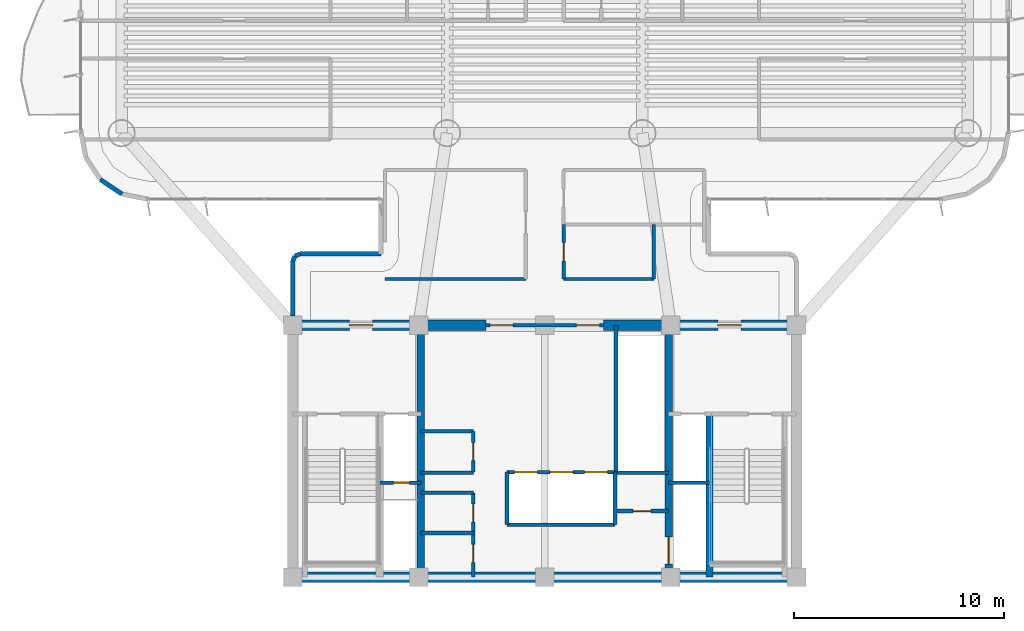
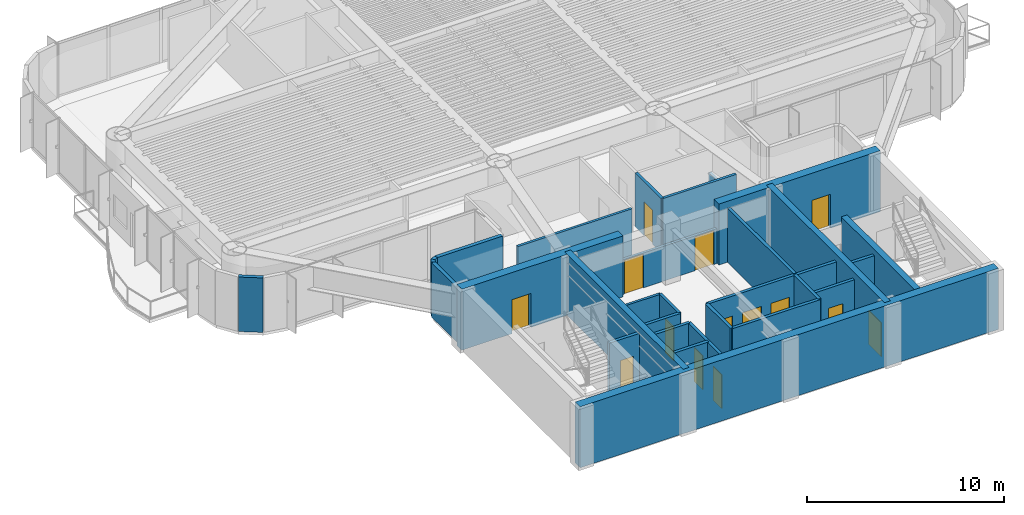
# One storey, part 8 of 15: 31 walls, 14 doors, 14 openings.
"""IFC4 building model written with IfcOpenShell, lengths in metres."""

from ifc_helpers import new_model, si_unit, direction, frame, frame_2d, origin, origin_2d, place, context, subcontext, project, spatial, rectangle, extrude, source, transform, mapped, material, layer, layer_set, type_object, element, fill, save


model = new_model("IFC4")

# Units and contexts
model_context = context("Model", 3, precision=1e-05, world=origin(), true_north=direction((0.0, 1.0)))
body_context = subcontext(model_context, "Body", "Model", "MODEL_VIEW")
ifc_project = project(units=[si_unit("LENGTHUNIT", "METRE"), si_unit("AREAUNIT", "SQUARE_METRE"), si_unit("VOLUMEUNIT", "CUBIC_METRE"), si_unit("PLANEANGLEUNIT", "RADIAN"), si_unit("MASSUNIT", "GRAM", prefix="KILO")], contexts=[model_context])

# Site, building, storey
site_placement = place(None, origin())
site = spatial("IfcSite", under=ifc_project, at=site_placement, CompositionType="ELEMENT")
building_placement = place(site_placement, origin())
building = spatial("IfcBuilding", under=site, at=building_placement, Name="Brelvock Crest Care Tower", CompositionType="ELEMENT")
storey_placement = place(building_placement, frame((0.0, 0.0, 142.739990234375)))
storey = spatial("IfcBuildingStorey", under=building, at=storey_placement, Name="L36", CompositionType="ELEMENT", Elevation=142.739990234375)

# Wall
ifc_material_1 = material(Name="Concrete S80 (80 MPa)", Category="concrete")
ifc_layer_1 = layer(ifc_material_1, 0.5, Name="WL-CS2")
ifc_layer_set_1 = layer_set([ifc_layer_1], Name="Concrete S80 (80 MPa)")
wall_type_1 = type_object("IfcWallType", Name="WL-CS2", PredefinedType="SHEAR", material=ifc_layer_set_1)
wall_1_placement = place(storey_placement, frame((48.25, 6.0, 0.0), z_axis=(0.0, 0.0, 1.0), x_axis=(-1.0, 0.0, 0.0)))
element("IfcWall", 1, at=wall_1_placement, inside=storey, type_object=wall_type_1, Name="L36 Core South Shear Wall", PredefinedType="SHEAR", context=body_context, shape_type="SweptSolid", body=[
    extrude(rectangle(XDim=24.5, YDim=0.5, at=frame_2d((12.25, 0.0))), origin(), (0.0, 0.0, 1.0), 3.780029296875),
])

# Wall, opening, door
wall_2_placement = place(storey_placement, frame((23.75, 18.0, 0.0), z_axis=(0.0, 0.0, 1.0), x_axis=(1.0, 0.0, 0.0)))
wall_2 = element("IfcWall", 2, at=wall_2_placement, inside=storey, type_object=wall_type_1, Name="L36 Core North-West Shear Wall", PredefinedType="SHEAR", context=body_context, shape_type="SweptSolid", body=[
    extrude(rectangle(XDim=9.449951171875, YDim=0.5, at=frame_2d((4.72509765625, 0.0))), origin(), (0.0, 0.0, 1.0), 3.780029296875),
])
opening_1_placement = place(wall_2_placement, frame((2.949951171875, 0.0, 0.0)))
opening_1 = element("IfcOpeningElement", 3, at=opening_1_placement, cuts=wall_2, Name="Opening FD-1", PredefinedType="OPENING", context=body_context, shape_type="SweptSolid", body=[
    extrude(rectangle(XDim=1.10009765625, YDim=2.10009765625, at=origin_2d()), frame((0.550048828125, 0.260009765625, 1.050048828125), z_axis=(0.0, -1.0, 0.0), x_axis=(1.0, 0.0, 0.0)), (0.0, 0.0, 1.0), 0.52001953125),
])
ifc_material_2 = material(Name="Steel Grade 350", Category="steel")
door_type_1 = type_object("IfcDoorType", Name="DR-FFL1", OperationType="NOTDEFINED", PredefinedType="DOOR", material=ifc_material_2)
shared_shape_1 = source(origin(), body_context, "Body", "SweptSolid", [
    extrude(rectangle(XDim=1.10009765625, YDim=2.10009765625, at=origin_2d()), frame((0.550048828125, 0.02490234375, 1.050048828125), z_axis=(0.0, -1.0, 0.0), x_axis=(1.0, 0.0, 0.0)), (0.0, 0.0, 1.0), 0.050048828125),
])
door_1_placement = place(opening_1_placement, origin())
door_1 = element("IfcDoor", 4, at=door_1_placement, inside=storey, type_object=door_type_1, Name="L36 Firefighting Lobby FFL-1 Exit Door", OperationType="SINGLE_SWING_LEFT", OverallHeight=2.10009765625, OverallWidth=1.10009765625, PredefinedType="DOOR", context=body_context, shape_type="MappedRepresentation", body=[
    mapped(shared_shape_1, transform((0.0, 0.0, 0.0), x_axis=(1.0, 0.0, 0.0), y_axis=(0.0, 1.0, 0.0), z_axis=(0.0, 0.0, 1.0), scale=1.0)),
])
fill(opening_1, door_1)

wall_3_placement = place(storey_placement, frame((38.800048828125, 18.0, 0.0), z_axis=(0.0, 0.0, 1.0), x_axis=(1.0, 0.0, 0.0)))
wall_3 = element("IfcWall", 5, at=wall_3_placement, inside=storey, type_object=wall_type_1, Name="L36 Core North-East Shear Wall", PredefinedType="SHEAR", context=body_context, shape_type="SweptSolid", body=[
    extrude(rectangle(XDim=9.449951171875, YDim=0.5, at=frame_2d((4.72509765625, 0.0))), origin(), (0.0, 0.0, 1.0), 3.780029296875),
])
opening_2_placement = place(wall_3_placement, frame((5.449951171875, 0.0, 0.0)))
opening_2 = element("IfcOpeningElement", 6, at=opening_2_placement, cuts=wall_3, Name="Opening FD-1", PredefinedType="OPENING", context=body_context, shape_type="SweptSolid", body=[
    extrude(rectangle(XDim=1.10009765625, YDim=2.10009765625, at=origin_2d()), frame((0.550048828125, 0.260009765625, 1.050048828125), z_axis=(0.0, -1.0, 0.0), x_axis=(1.0, 0.0, 0.0)), (0.0, 0.0, 1.0), 0.52001953125),
])
door_2_placement = place(opening_2_placement, origin())
door_2 = element("IfcDoor", 7, at=door_2_placement, inside=storey, type_object=door_type_1, Name="L36 Firefighting Lobby FFL-2 Exit Door", OperationType="SINGLE_SWING_RIGHT", OverallHeight=2.10009765625, OverallWidth=1.10009765625, PredefinedType="DOOR", context=body_context, shape_type="MappedRepresentation", body=[
    mapped(shared_shape_1, transform((0.0, 0.0, 0.0), x_axis=(1.0, 0.0, 0.0), y_axis=(0.0, 1.0, 0.0), z_axis=(0.0, 0.0, 1.0), scale=1.0)),
])
fill(opening_2, door_2)

# Wall
ifc_layer_2 = layer(ifc_material_1, 0.35009765625, Name="WL-CS5")
ifc_layer_set_2 = layer_set([ifc_layer_2], Name="Concrete S80 (80 MPa)")
wall_type_2 = type_object("IfcWallType", Name="WL-CS5", PredefinedType="SHEAR", material=ifc_layer_set_2)
wall_4_placement = place(storey_placement, frame((30.10009765625, 6.0, 0.0), z_axis=(0.0, 0.0, 1.0), x_axis=(0.0, 1.0, 0.0)))
element("IfcWall", 8, at=wall_4_placement, inside=storey, type_object=wall_type_2, Name="L36 Core Internal Web Wall West", PredefinedType="SHEAR", context=body_context, shape_type="SweptSolid", body=[
    extrude(rectangle(XDim=12.0, YDim=0.35009765625, at=frame_2d((6.0, 0.0))), origin(), (0.0, 0.0, 1.0), 3.780029296875),
])

# Wall, opening, door
wall_5_placement = place(storey_placement, frame((41.89990234375, 18.0, 0.0), z_axis=(0.0, 0.0, 1.0), x_axis=(0.0, -1.0, 0.0)))
wall_5 = element("IfcWall", 9, at=wall_5_placement, inside=storey, type_object=wall_type_2, Name="L36 Core Internal Web Wall East", PredefinedType="SHEAR", context=body_context, shape_type="SweptSolid", body=[
    extrude(rectangle(XDim=12.0, YDim=0.35009765625, at=frame_2d((6.0, 0.0))), origin(), (0.0, 0.0, 1.0), 3.780029296875),
])
opening_3_placement = place(wall_5_placement, frame((10.080078125, 0.0, 0.0)))
opening_3 = element("IfcOpeningElement", 10, at=opening_3_placement, cuts=wall_5, Name="Opening LD-S", PredefinedType="OPENING", context=body_context, shape_type="SweptSolid", body=[
    extrude(rectangle(XDim=1.300048828125, YDim=2.10009765625, at=origin_2d()), frame((0.64990234375, 0.18505859375, 1.050048828125), z_axis=(0.0, -1.0, 0.0), x_axis=(1.0, 0.0, 0.0)), (0.0, 0.0, 1.0), 0.3701171875),
])
door_type_2 = type_object("IfcDoorType", Name="DR-LDS1", OperationType="NOTDEFINED", PredefinedType="DOOR", material=ifc_material_2)
shared_shape_2 = source(origin(), body_context, "Body", "SweptSolid", [
    extrude(rectangle(XDim=1.300048828125, YDim=2.10009765625, at=origin_2d()), frame((0.64990234375, 0.02490234375, 1.050048828125), z_axis=(0.0, -1.0, 0.0), x_axis=(1.0, 0.0, 0.0)), (0.0, 0.0, 1.0), 0.050048828125),
])
door_3_placement = place(opening_3_placement, origin())
door_3 = element("IfcDoor", 11, at=door_3_placement, inside=storey, type_object=door_type_2, Name="L36 Clinical Bed Lift SL-1 Landing Door", OperationType="SLIDING_TO_LEFT", OverallHeight=2.10009765625, OverallWidth=1.300048828125, PredefinedType="DOOR", context=body_context, shape_type="MappedRepresentation", body=[
    mapped(shared_shape_2, transform((0.0, 0.0, 0.0), x_axis=(1.0, 0.0, 0.0), y_axis=(0.0, 1.0, 0.0), z_axis=(0.0, 0.0, 1.0), scale=1.0)),
])
fill(opening_3, door_3)

# Walls
wall_6_placement = place(storey_placement, frame((43.85009765625, 6.0, 0.0), z_axis=(0.0, 0.0, 1.0), x_axis=(0.0, 1.0, 0.0)))
element("IfcWall", 12, at=wall_6_placement, inside=storey, type_object=wall_type_2, Name="L36 Core Stair ST-2 West Shear Wall", PredefinedType="SHEAR", context=body_context, shape_type="SweptSolid", body=[
    extrude(rectangle(XDim=7.780029296875, YDim=0.35009765625, at=frame_2d((3.89013671875, 0.0))), origin(), (0.0, 0.0, 1.0), 3.69189453125),
])
ifc_material_3 = material(Name="Precast concrete N40 (40 MPa)", Category="concrete")
ifc_layer_3 = layer(ifc_material_3, 0.215087890625, Name="WL-EX2")
ifc_layer_set_3 = layer_set([ifc_layer_3], Name="Precast concrete N40 (40 MPa)")
wall_type_3 = type_object("IfcWallType", Name="WL-EX2", PredefinedType="SOLIDWALL", material=ifc_layer_set_3)
wall_7_placement = place(storey_placement, frame((24.0, 18.429931640625, 0.0), z_axis=(0.0, 0.0, 1.0), x_axis=(0.0, 1.0, 0.0)))
element("IfcWall", 13, at=wall_7_placement, inside=storey, type_object=wall_type_3, Name="L36 Rounded Corner Wall 07", PredefinedType="SOLIDWALL", context=body_context, shape_type="SweptSolid", body=[
    extrude(rectangle(XDim=2.6201171875, YDim=0.215087890625, at=frame_2d((1.31005859375, 0.0))), origin(), (0.0, 0.0, 1.0), 3.3720703125),
])
wall_8_placement = place(storey_placement, frame((24.0, 21.050048828125, 0.0), z_axis=(0.0, 0.0, 1.0), x_axis=(0.382673670509, 0.923883575944, 0.0)))
element("IfcWall", 14, at=wall_8_placement, inside=storey, type_object=wall_type_3, Name="L36 Rounded Corner Wall 08", PredefinedType="SOLIDWALL", context=body_context, shape_type="SweptSolid", body=[
    extrude(rectangle(XDim=0.26806640625, YDim=0.215087890625, at=frame_2d((0.134033203125, 0.0))), origin(), (0.0, 0.0, 1.0), 3.3720703125),
])
wall_9_placement = place(storey_placement, frame((24.1025390625, 21.297607421875, 0.0), z_axis=(0.0, 0.0, 1.0), x_axis=(0.924205486139, 0.381895560841, 0.0)))
element("IfcWall", 15, at=wall_9_placement, inside=storey, type_object=wall_type_3, Name="L36 Rounded Corner Wall 09", PredefinedType="SOLIDWALL", context=body_context, shape_type="SweptSolid", body=[
    extrude(rectangle(XDim=0.267822265625, YDim=0.215087890625, at=frame_2d((0.1337890625, 0.0))), origin(), (0.0, 0.0, 1.0), 3.3720703125),
])
wall_10_placement = place(storey_placement, frame((24.35009765625, 21.39990234375, 0.0), z_axis=(0.0, 0.0, 1.0), x_axis=(1.0, 0.0, 0.0)))
element("IfcWall", 16, at=wall_10_placement, inside=storey, type_object=wall_type_3, Name="L36 Rounded Corner Wall 10", PredefinedType="SOLIDWALL", context=body_context, shape_type="SweptSolid", body=[
    extrude(rectangle(XDim=3.849853515625, YDim=0.215087890625, at=frame_2d((1.9248046875, 0.0))), origin(), (0.0, 0.0, 1.0), 3.3720703125),
])
wall_11_placement = place(storey_placement, frame((15.87548828125, 24.24365234375, 0.0), z_axis=(0.0, 0.0, 1.0), x_axis=(-0.831478245117, 0.555557312883, 0.0)))
element("IfcWall", 17, at=wall_11_placement, inside=storey, type_object=wall_type_3, Name="L36 Rounded Corner Wall 14", PredefinedType="SOLIDWALL", context=body_context, shape_type="SweptSolid", body=[
    extrude(rectangle(XDim=1.24853515625, YDim=0.215087890625, at=frame_2d((0.624267578125, 0.0))), origin(), (0.0, 0.0, 1.0), 3.3720703125),
])
ifc_material_4 = material(Name="Masonry Blockwork Acoustic Partition", Category="masonry")
ifc_layer_4 = layer(ifc_material_4, 0.14990234375, Name="WL-INT1")
ifc_layer_set_4 = layer_set([ifc_layer_4], Name="Masonry Blockwork Acoustic Partition")
wall_type_4 = type_object("IfcWallType", Name="WL-INT1", PredefinedType="PARTITIONING", material=ifc_layer_set_4)
wall_12_placement = place(storey_placement, frame((30.10009765625, 12.949951171875, 0.0), z_axis=(0.0, 0.0, 1.0), x_axis=(1.0, 0.0, 0.0)))
element("IfcWall", 18, at=wall_12_placement, inside=storey, type_object=wall_type_4, Name="L36 Interior Wall WL-CRCL-N2-L36", PredefinedType="PARTITIONING", context=body_context, shape_type="SweptSolid", body=[
    extrude(rectangle(XDim=2.5, YDim=0.14990234375, at=frame_2d((1.25, 0.0))), origin(), (0.0, 0.0, 1.0), 3.342041015625),
])

# Wall, opening, door
wall_13_placement = place(storey_placement, frame((32.60009765625, 11.0, 0.0), z_axis=(0.0, 0.0, 1.0), x_axis=(0.0, 1.0, 0.0)))
wall_13 = element("IfcWall", 19, at=wall_13_placement, inside=storey, type_object=wall_type_4, Name="L36 Interior Wall WL-CRCL-E-L36", PredefinedType="PARTITIONING", context=body_context, shape_type="SweptSolid", body=[
    extrude(rectangle(XDim=1.949951171875, YDim=0.14990234375, at=frame_2d((0.97509765625, 0.0))), origin(), (0.0, 0.0, 1.0), 3.342041015625),
])
opening_4_placement = place(wall_13_placement, frame((0.550048828125, 0.0, 0.0)))
opening_4 = element("IfcOpeningElement", 20, at=opening_4_placement, cuts=wall_13, Name="Opening ID-1", PredefinedType="OPENING", context=body_context, shape_type="SweptSolid", body=[
    extrude(rectangle(XDim=0.860107421875, YDim=2.10009765625, at=origin_2d()), frame((0.43017578125, 0.0849609375, 1.050048828125), z_axis=(0.0, -1.0, 0.0), x_axis=(1.0, 0.0, 0.0)), (0.0, 0.0, 1.0), 0.169921875),
])
ifc_material_5 = material(Name="Engineered Hardwood Timber", Category="wood")
door_type_3 = type_object("IfcDoorType", Name="DR-INT1", OperationType="NOTDEFINED", PredefinedType="DOOR", material=ifc_material_5)
shared_shape_3 = source(origin(), body_context, "Body", "SweptSolid", [
    extrude(rectangle(XDim=0.860107421875, YDim=2.10009765625, at=origin_2d()), frame((0.43017578125, 0.02490234375, 1.050048828125), z_axis=(0.0, -1.0, 0.0), x_axis=(1.0, 0.0, 0.0)), (0.0, 0.0, 1.0), 0.050048828125),
])
door_4_placement = place(opening_4_placement, origin())
door_4 = element("IfcDoor", 21, at=door_4_placement, inside=storey, type_object=door_type_3, Name="DR-CRCL1-L36", OperationType="SINGLE_SWING_LEFT", OverallHeight=2.10009765625, OverallWidth=0.860107421875, PredefinedType="DOOR", context=body_context, shape_type="MappedRepresentation", body=[
    mapped(shared_shape_3, transform((0.0, 0.0, 0.0), x_axis=(1.0, 0.0, 0.0), y_axis=(0.0, 1.0, 0.0), z_axis=(0.0, 0.0, 1.0), scale=1.0)),
])
fill(opening_4, door_4)

# Wall, openings, doors
wall_14_placement = place(storey_placement, frame((33.199951171875, 18.0, 0.0), z_axis=(0.0, 0.0, 1.0), x_axis=(1.0, 0.0, 0.0)))
wall_14 = element("IfcWall", 22, at=wall_14_placement, inside=storey, type_object=wall_type_4, Name="L36 Interior Wall WL-CORE-NPORT-L36", PredefinedType="PARTITIONING", context=body_context, shape_type="SweptSolid", body=[
    extrude(rectangle(XDim=5.60009765625, YDim=0.14990234375, at=frame_2d((2.800048828125, 0.0))), origin(), (0.0, 0.0, 1.0), 2.156982421875),
])
opening_5_placement = place(wall_14_placement, frame((0.18994140625, 0.0, 0.0)))
opening_5 = element("IfcOpeningElement", 23, at=opening_5_placement, cuts=wall_14, Name="Opening FD-1", PredefinedType="OPENING", context=body_context, shape_type="SweptSolid", body=[
    extrude(rectangle(XDim=1.10009765625, YDim=2.096923828125, at=origin_2d()), frame((0.550048828125, 0.0849609375, 1.04833984375), z_axis=(0.0, -1.0, 0.0), x_axis=(1.0, 0.0, 0.0)), (0.0, 0.0, 1.0), 0.169921875),
])
opening_6_placement = place(wall_14_placement, frame((4.31005859375, 0.0, 0.0)))
opening_6 = element("IfcOpeningElement", 24, at=opening_6_placement, cuts=wall_14, Name="Opening FD-1", PredefinedType="OPENING", context=body_context, shape_type="SweptSolid", body=[
    extrude(rectangle(XDim=1.10009765625, YDim=2.096923828125, at=origin_2d()), frame((0.550048828125, 0.0849609375, 1.04833984375), z_axis=(0.0, -1.0, 0.0), x_axis=(1.0, 0.0, 0.0)), (0.0, 0.0, 1.0), 0.169921875),
])
shared_shape_4 = source(origin(), body_context, "Body", "SweptSolid", [
    extrude(rectangle(XDim=1.10009765625, YDim=2.096923828125, at=origin_2d()), frame((0.550048828125, 0.02490234375, 1.04833984375), z_axis=(0.0, -1.0, 0.0), x_axis=(1.0, 0.0, 0.0)), (0.0, 0.0, 1.0), 0.050048828125),
])
door_5_placement = place(opening_5_placement, origin())
door_5 = element("IfcDoor", 25, at=door_5_placement, inside=storey, type_object=door_type_1, Name="L36 Lift Lobby North Smoke Door West", OperationType="SINGLE_SWING_LEFT", OverallHeight=2.096923828125, OverallWidth=1.10009765625, PredefinedType="DOOR", context=body_context, shape_type="MappedRepresentation", body=[
    mapped(shared_shape_4, transform((0.0, 0.0, 0.0), x_axis=(1.0, 0.0, 0.0), y_axis=(0.0, 1.0, 0.0), z_axis=(0.0, 0.0, 1.0), scale=1.0)),
])
fill(opening_5, door_5)
door_6_placement = place(opening_6_placement, origin())
door_6 = element("IfcDoor", 26, at=door_6_placement, inside=storey, type_object=door_type_1, Name="L36 Lift Lobby North Smoke Door East", OperationType="SINGLE_SWING_RIGHT", OverallHeight=2.096923828125, OverallWidth=1.10009765625, PredefinedType="DOOR", context=body_context, shape_type="MappedRepresentation", body=[
    mapped(shared_shape_4, transform((0.0, 0.0, 0.0), x_axis=(1.0, 0.0, 0.0), y_axis=(0.0, 1.0, 0.0), z_axis=(0.0, 0.0, 1.0), scale=1.0)),
])
fill(opening_6, door_6)

# Walls
wall_15_placement = place(storey_placement, frame((28.39990234375, 20.199951171875, 0.0), z_axis=(0.0, 0.0, 1.0), x_axis=(1.0, 0.0, 0.0)))
element("IfcWall", 27, at=wall_15_placement, inside=storey, type_object=wall_type_4, Name="L36 Interior Wall WL-BX-L36-THW-S", PredefinedType="PARTITIONING", context=body_context, shape_type="SweptSolid", body=[
    extrude(rectangle(XDim=6.7001953125, YDim=0.14990234375, at=frame_2d((3.35009765625, 0.0))), origin(), (0.0, 0.0, 1.0), 3.342041015625),
])
ifc_material_6 = material(Name="Gypsum Plasterboard Partition", Category="gypsum")
ifc_layer_5 = layer(ifc_material_6, 0.159912109375, Name="WL-PLM1")
ifc_layer_set_5 = layer_set([ifc_layer_5], Name="Gypsum Plasterboard Partition")
wall_type_5 = type_object("IfcWallType", Name="WL-PLM1", PredefinedType="PLUMBINGWALL", material=ifc_layer_set_5)
wall_16_placement = place(storey_placement, frame((36.89990234375, 20.199951171875, 0.0), z_axis=(0.0, 0.0, 1.0), x_axis=(1.0, 0.0, 0.0)))
element("IfcWall", 28, at=wall_16_placement, inside=storey, type_object=wall_type_5, Name="L36 Interior Wall WL-BX-L36-THE1-S", PredefinedType="PLUMBINGWALL", context=body_context, shape_type="SweptSolid", body=[
    extrude(rectangle(XDim=4.300048828125, YDim=0.159912109375, at=frame_2d((2.14990234375, 0.0))), origin(), (0.0, 0.0, 1.0), 3.342041015625),
])

# Wall, opening, door
wall_17_placement = place(storey_placement, frame((36.89990234375, 20.199951171875, 0.0), z_axis=(0.0, 0.0, 1.0), x_axis=(0.0, 1.0, 0.0)))
wall_17 = element("IfcWall", 29, at=wall_17_placement, inside=storey, type_object=wall_type_5, Name="L36 Interior Wall WL-RM-L36-THE1", PredefinedType="PLUMBINGWALL", context=body_context, shape_type="SweptSolid", body=[
    extrude(rectangle(XDim=2.60009765625, YDim=0.159912109375, at=frame_2d((1.300048828125, 0.0))), origin(), (0.0, 0.0, 1.0), 3.342041015625),
])
opening_7_placement = place(wall_17_placement, frame((0.8701171875, 0.0, 0.0)))
opening_7 = element("IfcOpeningElement", 30, at=opening_7_placement, cuts=wall_17, Name="Opening WD-1", PredefinedType="OPENING", context=body_context, shape_type="SweptSolid", body=[
    extrude(rectangle(XDim=0.860107421875, YDim=2.10009765625, at=origin_2d()), frame((0.43017578125, 0.08984375, 1.050048828125), z_axis=(0.0, -1.0, 0.0), x_axis=(1.0, 0.0, 0.0)), (0.0, 0.0, 1.0), 0.179931640625),
])
door_type_4 = type_object("IfcDoorType", Name="DR-WC1", OperationType="NOTDEFINED", PredefinedType="DOOR", material=ifc_material_5)
shared_shape_5 = source(origin(), body_context, "Body", "SweptSolid", [
    extrude(rectangle(XDim=0.860107421875, YDim=2.10009765625, at=origin_2d()), frame((0.43017578125, 0.02490234375, 1.050048828125), z_axis=(0.0, -1.0, 0.0), x_axis=(1.0, 0.0, 0.0)), (0.0, 0.0, 1.0), 0.050048828125),
])
door_7_placement = place(opening_7_placement, origin())
door_7 = element("IfcDoor", 31, at=door_7_placement, inside=storey, type_object=door_type_4, Name="L36 Floor Accessible WC Door THE1", OperationType="SINGLE_SWING_LEFT", OverallHeight=2.10009765625, OverallWidth=0.860107421875, PredefinedType="DOOR", context=body_context, shape_type="MappedRepresentation", body=[
    mapped(shared_shape_5, transform((0.0, 0.0, 0.0), x_axis=(1.0, 0.0, 0.0), y_axis=(0.0, 1.0, 0.0), z_axis=(0.0, 0.0, 1.0), scale=1.0)),
])
fill(opening_7, door_7)

# Walls
wall_18_placement = place(storey_placement, frame((41.199951171875, 20.199951171875, 0.0), z_axis=(0.0, 0.0, 1.0), x_axis=(0.0, 1.0, 0.0)))
element("IfcWall", 32, at=wall_18_placement, inside=storey, type_object=wall_type_5, Name="L36 Interior Wall WL-BX-L36-THE1-E", PredefinedType="PLUMBINGWALL", context=body_context, shape_type="SweptSolid", body=[
    extrude(rectangle(XDim=2.60009765625, YDim=0.159912109375, at=frame_2d((1.300048828125, 0.0))), origin(), (0.0, 0.0, 1.0), 1.85693359375),
])
ifc_layer_6 = layer(ifc_material_4, 0.179931640625, Name="WL-SHF1")
ifc_layer_set_6 = layer_set([ifc_layer_6], Name="Masonry Blockwork Acoustic Partition")
wall_type_6 = type_object("IfcWallType", Name="WL-SHF1", PredefinedType="PARTITIONING", material=ifc_layer_set_6)
wall_19_placement = place(storey_placement, frame((34.199951171875, 8.5, 0.0), z_axis=(0.0, 0.0, 1.0), x_axis=(1.0, 0.0, 0.0)))
element("IfcWall", 33, at=wall_19_placement, inside=storey, type_object=wall_type_6, Name="L36 Interior Wall WL-PLM-S-L36", PredefinedType="PARTITIONING", context=body_context, shape_type="SweptSolid", body=[
    extrude(rectangle(XDim=5.150146484375, YDim=0.179931640625, at=frame_2d((2.5751953125, 0.0))), origin(), (0.0, 0.0, 1.0), 3.342041015625),
])
for number, where, z_axis, x_axis, name in (
    (34, (34.199951171875, 8.5, 0.0), (0.0, 0.0, 1.0), (0.0, 1.0, 0.0), "L36 Interior Wall WL-PLM-W-L36"),
    (35, (39.35009765625, 8.5, 0.0), (0.0, 0.0, 1.0), (0.0, 1.0, 0.0), "L36 Interior Wall WL-PLM-E-L36"),
):
    element("IfcWall", number, at=place(storey_placement, frame(where, z_axis=z_axis, x_axis=x_axis)), inside=storey, type_object=wall_type_6, Name=name, PredefinedType="PARTITIONING", context=body_context, shape_type="SweptSolid", body=[
        extrude(rectangle(XDim=2.5, YDim=0.179931640625, at=frame_2d((1.25, 0.0))), origin(), (0.0, 0.0, 1.0), 3.342041015625),
    ])
wall_20_placement = place(storey_placement, frame((39.39990234375, 11.0, 0.0), z_axis=(0.0, 0.0, 1.0), x_axis=(0.0, 1.0, 0.0)))
element("IfcWall", 36, at=wall_20_placement, inside=storey, type_object=wall_type_6, Name="L36 Interior Wall WL-PLH-SHF-L36", PredefinedType="PARTITIONING", context=body_context, shape_type="SweptSolid", body=[
    extrude(rectangle(XDim=7.0, YDim=0.179931640625, at=frame_2d((3.5, 0.0))), origin(), (0.0, 0.0, 1.0), 3.342041015625),
])
wall_21_placement = place(storey_placement, frame((30.10009765625, 10.97998046875, 0.0), z_axis=(0.0, 0.0, 1.0), x_axis=(1.0, 0.0, 0.0)))
element("IfcWall", 37, at=wall_21_placement, inside=storey, type_object=wall_type_6, Name="L36 Interior Wall WL-CSBW-N-L36", PredefinedType="PARTITIONING", context=body_context, shape_type="SweptSolid", body=[
    extrude(rectangle(XDim=2.5, YDim=0.179931640625, at=frame_2d((1.25, 0.0))), origin(), (0.0, 0.0, 1.0), 3.342041015625),
])
wall_22_placement = place(storey_placement, frame((39.35009765625, 10.97998046875, 0.0), z_axis=(0.0, 0.0, 1.0), x_axis=(1.0, 0.0, 0.0)))
element("IfcWall", 38, at=wall_22_placement, inside=storey, type_object=wall_type_6, Name="L36 Interior Wall WL-CSBE-N-L36", PredefinedType="PARTITIONING", context=body_context, shape_type="SweptSolid", body=[
    extrude(rectangle(XDim=2.5498046875, YDim=0.179931640625, at=frame_2d((1.27490234375, 0.0))), origin(), (0.0, 0.0, 1.0), 3.342041015625),
])
for number, where, z_axis, x_axis, name in (
    (39, (30.10009765625, 8.10009765625, 0.0), (0.0, 0.0, 1.0), (1.0, 0.0, 0.0), "L36 Interior Wall WL-CSBW-SP-L36"),
    (40, (30.10009765625, 10.02001953125, 0.0), (0.0, 0.0, 1.0), (1.0, 0.0, 0.0), "L36 Interior Wall WL-CSBW-N2-L36"),
):
    element("IfcWall", number, at=place(storey_placement, frame(where, z_axis=z_axis, x_axis=x_axis)), inside=storey, type_object=wall_type_6, Name=name, PredefinedType="PARTITIONING", context=body_context, shape_type="SweptSolid", body=[
        extrude(rectangle(XDim=2.5, YDim=0.179931640625, at=frame_2d((1.25, 0.0))), origin(), (0.0, 0.0, 1.0), 3.342041015625),
    ])

# Wall, openings, doors
wall_23_placement = place(storey_placement, frame((32.60009765625, 6.0, 0.0), z_axis=(0.0, 0.0, 1.0), x_axis=(0.0, 1.0, 0.0)))
wall_23 = element("IfcWall", 41, at=wall_23_placement, inside=storey, type_object=wall_type_6, Name="L36 Interior Wall WL-CSBW-E-L36", PredefinedType="PARTITIONING", context=body_context, shape_type="SweptSolid", body=[
    extrude(rectangle(XDim=4.02001953125, YDim=0.179931640625, at=frame_2d((2.010009765625, 0.0))), origin(), (0.0, 0.0, 1.0), 3.342041015625),
])
opening_8_placement = place(wall_23_placement, frame((0.699951171875, 0.0, 0.0)))
opening_8 = element("IfcOpeningElement", 42, at=opening_8_placement, cuts=wall_23, Name="Opening ID-1", PredefinedType="OPENING", context=body_context, shape_type="SweptSolid", body=[
    extrude(rectangle(XDim=0.860107421875, YDim=2.10009765625, at=origin_2d()), frame((0.43017578125, 0.10009765625, 1.050048828125), z_axis=(0.0, -1.0, 0.0), x_axis=(1.0, 0.0, 0.0)), (0.0, 0.0, 1.0), 0.199951171875),
])
opening_9_placement = place(wall_23_placement, frame((2.6201171875, 0.0, 0.0)))
opening_9 = element("IfcOpeningElement", 43, at=opening_9_placement, cuts=wall_23, Name="Opening ID-1", PredefinedType="OPENING", context=body_context, shape_type="SweptSolid", body=[
    extrude(rectangle(XDim=0.860107421875, YDim=2.10009765625, at=origin_2d()), frame((0.43017578125, 0.10009765625, 1.050048828125), z_axis=(0.0, -1.0, 0.0), x_axis=(1.0, 0.0, 0.0)), (0.0, 0.0, 1.0), 0.199951171875),
])
door_8_placement = place(opening_8_placement, origin())
door_8 = element("IfcDoor", 44, at=door_8_placement, inside=storey, type_object=door_type_3, Name="DR-CSBW1-L36", OperationType="SINGLE_SWING_LEFT", OverallHeight=2.10009765625, OverallWidth=0.860107421875, PredefinedType="DOOR", context=body_context, shape_type="MappedRepresentation", body=[
    mapped(shared_shape_3, transform((0.0, 0.0, 0.0), x_axis=(1.0, 0.0, 0.0), y_axis=(0.0, 1.0, 0.0), z_axis=(0.0, 0.0, 1.0), scale=1.0)),
])
fill(opening_8, door_8)
door_9_placement = place(opening_9_placement, origin())
door_9 = element("IfcDoor", 45, at=door_9_placement, inside=storey, type_object=door_type_3, Name="DR-CSBW2-L36", OperationType="SINGLE_SWING_RIGHT", OverallHeight=2.10009765625, OverallWidth=0.860107421875, PredefinedType="DOOR", context=body_context, shape_type="MappedRepresentation", body=[
    mapped(shared_shape_3, transform((0.0, 0.0, 0.0), x_axis=(1.0, 0.0, 0.0), y_axis=(0.0, 1.0, 0.0), z_axis=(0.0, 0.0, 1.0), scale=1.0)),
])
fill(opening_9, door_9)

# Wall, opening, door
wall_24_placement = place(storey_placement, frame((39.35009765625, 9.14990234375, 0.0), z_axis=(0.0, 0.0, 1.0), x_axis=(1.0, 0.0, 0.0)))
wall_24 = element("IfcWall", 46, at=wall_24_placement, inside=storey, type_object=wall_type_6, Name="L36 Interior Wall WL-CSBE-S-L36", PredefinedType="PARTITIONING", context=body_context, shape_type="SweptSolid", body=[
    extrude(rectangle(XDim=2.5498046875, YDim=0.179931640625, at=frame_2d((1.27490234375, 0.0))), origin(), (0.0, 0.0, 1.0), 3.342041015625),
])
opening_10_placement = place(wall_24_placement, frame((0.85009765625, 0.0, 0.0)))
opening_10 = element("IfcOpeningElement", 47, at=opening_10_placement, cuts=wall_24, Name="Opening ID-1", PredefinedType="OPENING", context=body_context, shape_type="SweptSolid", body=[
    extrude(rectangle(XDim=0.860107421875, YDim=2.10009765625, at=origin_2d()), frame((0.43017578125, 0.10009765625, 1.050048828125), z_axis=(0.0, -1.0, 0.0), x_axis=(1.0, 0.0, 0.0)), (0.0, 0.0, 1.0), 0.199951171875),
])
door_10_placement = place(opening_10_placement, origin())
door_10 = element("IfcDoor", 48, at=door_10_placement, inside=storey, type_object=door_type_3, Name="DR-CSBE-L36", OperationType="SINGLE_SWING_LEFT", OverallHeight=2.10009765625, OverallWidth=0.860107421875, PredefinedType="DOOR", context=body_context, shape_type="MappedRepresentation", body=[
    mapped(shared_shape_3, transform((0.0, 0.0, 0.0), x_axis=(1.0, 0.0, 0.0), y_axis=(0.0, 1.0, 0.0), z_axis=(0.0, 0.0, 1.0), scale=1.0)),
])
fill(opening_10, door_10)

wall_25_placement = place(storey_placement, frame((28.14990234375, 10.5, 0.0), z_axis=(0.0, 0.0, 1.0), x_axis=(1.0, 0.0, 0.0)))
wall_25 = element("IfcWall", 49, at=wall_25_placement, inside=storey, type_object=wall_type_6, Name="L36 Interior Wall WL-FFH1-S-L36", PredefinedType="PARTITIONING", context=body_context, shape_type="SweptSolid", body=[
    extrude(rectangle(XDim=1.9501953125, YDim=0.179931640625, at=frame_2d((0.97509765625, 0.0))), origin(), (0.0, 0.0, 1.0), 3.342041015625),
])
opening_11_placement = place(wall_25_placement, frame((0.64990234375, 0.0, 0.0)))
opening_11 = element("IfcOpeningElement", 50, at=opening_11_placement, cuts=wall_25, Name="Opening RD-1", PredefinedType="OPENING", context=body_context, shape_type="SweptSolid", body=[
    extrude(rectangle(XDim=0.760009765625, YDim=2.050048828125, at=origin_2d()), frame((0.3798828125, 0.10009765625, 1.02490234375), z_axis=(0.0, -1.0, 0.0), x_axis=(1.0, 0.0, 0.0)), (0.0, 0.0, 1.0), 0.199951171875),
])
door_type_5 = type_object("IfcDoorType", Name="DR-RIS1", OperationType="NOTDEFINED", PredefinedType="DOOR", material=ifc_material_2)
shared_shape_6 = source(origin(), body_context, "Body", "SweptSolid", [
    extrude(rectangle(XDim=0.760009765625, YDim=2.050048828125, at=origin_2d()), frame((0.3798828125, 0.02490234375, 1.02490234375), z_axis=(0.0, -1.0, 0.0), x_axis=(1.0, 0.0, 0.0)), (0.0, 0.0, 1.0), 0.050048828125),
])
door_11_placement = place(opening_11_placement, origin())
door_11 = element("IfcDoor", 51, at=door_11_placement, inside=storey, type_object=door_type_5, Name="L36 Wet Fire Riser Access Door", OperationType="SINGLE_SWING_LEFT", OverallHeight=2.050048828125, OverallWidth=0.760009765625, PredefinedType="DOOR", context=body_context, shape_type="MappedRepresentation", body=[
    mapped(shared_shape_6, transform((0.0, 0.0, 0.0), x_axis=(1.0, 0.0, 0.0), y_axis=(0.0, 1.0, 0.0), z_axis=(0.0, 0.0, 1.0), scale=1.0)),
])
fill(opening_11, door_11)

# Wall
wall_26_placement = place(storey_placement, frame((41.89990234375, 10.5, 0.0), z_axis=(0.0, 0.0, 1.0), x_axis=(1.0, 0.0, 0.0)))
element("IfcWall", 52, at=wall_26_placement, inside=storey, type_object=wall_type_6, Name="L36 Interior Wall WL-FFH2-S-L36", PredefinedType="PARTITIONING", context=body_context, shape_type="SweptSolid", body=[
    extrude(rectangle(XDim=1.9501953125, YDim=0.179931640625, at=frame_2d((0.97509765625, 0.0))), origin(), (0.0, 0.0, 1.0), 3.342041015625),
])

# Wall, openings, doors
wall_27_placement = place(storey_placement, frame((34.199951171875, 11.0, 0.0), z_axis=(0.0, 0.0, 1.0), x_axis=(1.0, 0.0, 0.0)))
wall_27 = element("IfcWall", 53, at=wall_27_placement, inside=storey, type_object=wall_type_6, Name="L36 Interior Wall WL-PLM-BANK-L36", PredefinedType="PARTITIONING", context=body_context, shape_type="SweptSolid", body=[
    extrude(rectangle(XDim=5.150146484375, YDim=0.179931640625, at=frame_2d((2.5751953125, 0.0))), origin(), (0.0, 0.0, 1.0), 3.342041015625),
])
opening_12_placement = place(wall_27_placement, frame((0.35009765625, 0.0, 0.0)))
opening_12 = element("IfcOpeningElement", 54, at=opening_12_placement, cuts=wall_27, Name="Opening LD", PredefinedType="OPENING", context=body_context, shape_type="SweptSolid", body=[
    extrude(rectangle(XDim=1.10009765625, YDim=2.10009765625, at=origin_2d()), frame((0.550048828125, 0.10009765625, 1.050048828125), z_axis=(0.0, -1.0, 0.0), x_axis=(1.0, 0.0, 0.0)), (0.0, 0.0, 1.0), 0.199951171875),
])
opening_13_placement = place(wall_27_placement, frame((2.050048828125, 0.0, 0.0)))
opening_13 = element("IfcOpeningElement", 55, at=opening_13_placement, cuts=wall_27, Name="Opening LD", PredefinedType="OPENING", context=body_context, shape_type="SweptSolid", body=[
    extrude(rectangle(XDim=1.10009765625, YDim=2.10009765625, at=origin_2d()), frame((0.550048828125, 0.10009765625, 1.050048828125), z_axis=(0.0, -1.0, 0.0), x_axis=(1.0, 0.0, 0.0)), (0.0, 0.0, 1.0), 0.199951171875),
])
opening_14_placement = place(wall_27_placement, frame((3.699951171875, 0.0, 0.0)))
opening_14 = element("IfcOpeningElement", 56, at=opening_14_placement, cuts=wall_27, Name="Opening LD", PredefinedType="OPENING", context=body_context, shape_type="SweptSolid", body=[
    extrude(rectangle(XDim=1.10009765625, YDim=2.10009765625, at=origin_2d()), frame((0.550048828125, 0.10009765625, 1.050048828125), z_axis=(0.0, -1.0, 0.0), x_axis=(1.0, 0.0, 0.0)), (0.0, 0.0, 1.0), 0.199951171875),
])
door_type_6 = type_object("IfcDoorType", Name="DR-LD1", OperationType="NOTDEFINED", PredefinedType="DOOR", material=ifc_material_2)
shared_shape_7 = source(origin(), body_context, "Body", "SweptSolid", [
    extrude(rectangle(XDim=1.10009765625, YDim=2.10009765625, at=origin_2d()), frame((0.550048828125, 0.02490234375, 1.050048828125), z_axis=(0.0, -1.0, 0.0), x_axis=(1.0, 0.0, 0.0)), (0.0, 0.0, 1.0), 0.050048828125),
])
door_12_placement = place(opening_12_placement, origin())
door_12 = element("IfcDoor", 57, at=door_12_placement, inside=storey, type_object=door_type_6, Name="L36 Lift PL-M1 Landing Door", OperationType="SLIDING_TO_LEFT", OverallHeight=2.10009765625, OverallWidth=1.10009765625, PredefinedType="DOOR", context=body_context, shape_type="MappedRepresentation", body=[
    mapped(shared_shape_7, transform((0.0, 0.0, 0.0), x_axis=(1.0, 0.0, 0.0), y_axis=(0.0, 1.0, 0.0), z_axis=(0.0, 0.0, 1.0), scale=1.0)),
])
fill(opening_12, door_12)
door_13_placement = place(opening_13_placement, origin())
door_13 = element("IfcDoor", 58, at=door_13_placement, inside=storey, type_object=door_type_6, Name="L36 Lift PL-M2 Landing Door", OperationType="SLIDING_TO_LEFT", OverallHeight=2.10009765625, OverallWidth=1.10009765625, PredefinedType="DOOR", context=body_context, shape_type="MappedRepresentation", body=[
    mapped(shared_shape_7, transform((0.0, 0.0, 0.0), x_axis=(1.0, 0.0, 0.0), y_axis=(0.0, 1.0, 0.0), z_axis=(0.0, 0.0, 1.0), scale=1.0)),
])
fill(opening_13, door_13)
door_14_placement = place(opening_14_placement, origin())
door_14 = element("IfcDoor", 59, at=door_14_placement, inside=storey, type_object=door_type_6, Name="L36 Lift PL-M3 Landing Door", OperationType="SLIDING_TO_LEFT", OverallHeight=2.10009765625, OverallWidth=1.10009765625, PredefinedType="DOOR", context=body_context, shape_type="MappedRepresentation", body=[
    mapped(shared_shape_7, transform((0.0, 0.0, 0.0), x_axis=(1.0, 0.0, 0.0), y_axis=(0.0, 1.0, 0.0), z_axis=(0.0, 0.0, 1.0), scale=1.0)),
])
fill(opening_14, door_14)

save(model, "model.ifc")
